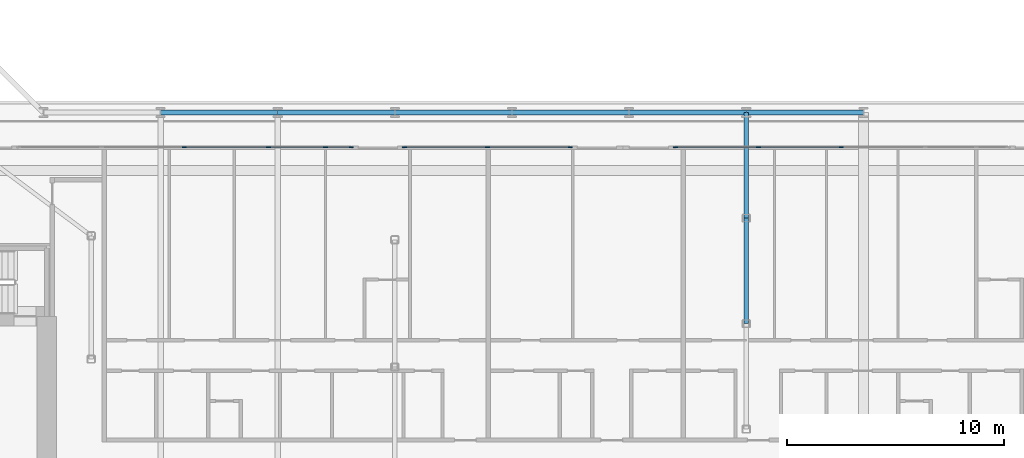
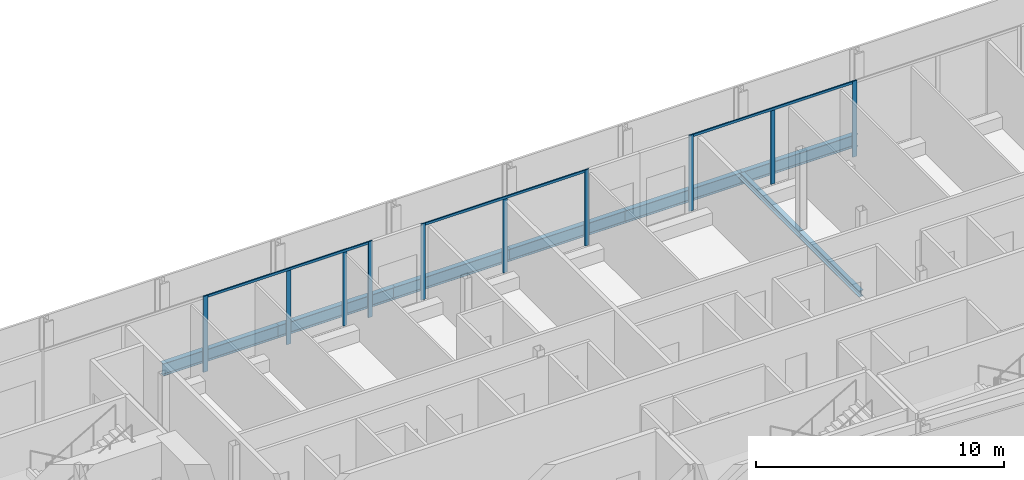
# One storey, part 6 of 28: 13 members, 8 beams, 4 elements without a shape of their own.
"""IFC4 building model written with IfcOpenShell, lengths in metres."""

from ifc_helpers import new_model, si_unit, direction, frame, origin, origin_2d, place, context, subcontext, project, spatial, rectangle, i_section, extrude, material, layer, layer_set, material_profile, profile_set, type_object, element, aggregate, save


model = new_model("IFC4")

# Units and contexts
model_context = context("Model", 3, precision=1e-05, world=origin(), true_north=direction((0.0, 1.0)))
body_context = subcontext(model_context, "Body", "Model", "MODEL_VIEW")
ifc_project = project(units=[si_unit("LENGTHUNIT", "METRE"), si_unit("AREAUNIT", "SQUARE_METRE"), si_unit("VOLUMEUNIT", "CUBIC_METRE"), si_unit("PLANEANGLEUNIT", "RADIAN"), si_unit("MASSUNIT", "GRAM", prefix="KILO")], contexts=[model_context])

# Site, building, storey
site_placement = place(None, origin())
site = spatial("IfcSite", under=ifc_project, at=site_placement, CompositionType="ELEMENT")
building_placement = place(site_placement, origin())
building = spatial("IfcBuilding", under=site, at=building_placement, Name="Kheshtan School and Residences Tower", CompositionType="ELEMENT")
storey_placement = place(building_placement, frame((0.0, 0.0, 137.0)))
storey = spatial("IfcBuildingStorey", under=building, at=storey_placement, Name="L32", CompositionType="ELEMENT", Elevation=137.0)

# Beams
ifc_material_1 = material(Name="Steel ASTM A992 Grade 50", Category="steel")
ifc_material_profile_1 = material_profile(ifc_material_1, i_section(OverallWidth=0.202880859375, OverallDepth=0.302978515625, WebThickness=0.007568359375, FlangeThickness=0.01318359375, FilletRadius=0.009033203125, at=origin_2d()), Name="W310x60")
ifc_profile_set_1 = profile_set([ifc_material_profile_1], Name="Steel ASTM A992 Grade 50")
beam_type_1 = type_object("IfcBeamType", Name="Beam FB1 W310x60 ASTM A992 Grade 50", PredefinedType="BEAM", material=ifc_profile_set_1)
for number, where, z_axis, x_axis, name in (
    (1, (85.39990234375, 45.60009765625, -0.301513671875), (0.0, -1.0, 0.0), (1.0, 0.0, 0.0), "Floor beam C067"),
    (2, (85.39990234375, 40.735107421875, -0.301513671875), (0.0, -1.0, 0.0), (1.0, 0.0, 0.0), "Floor beam IC"),
):
    element("IfcBeam", number, at=place(storey_placement, frame(where, z_axis=z_axis, x_axis=x_axis)), inside=storey, type_object=beam_type_1, Name=name, PredefinedType="BEAM", context=body_context, shape_type="SweptSolid", body=[
        extrude(i_section(OverallWidth=0.202880859375, OverallDepth=0.302978515625, WebThickness=0.007568359375, FlangeThickness=0.01318359375, FilletRadius=0.009033203125, at=origin_2d()), origin(), (0.0, 0.0, 1.0), 4.864990234375),
    ])
ifc_material_profile_2 = material_profile(ifc_material_1, i_section(OverallWidth=0.22802734375, OverallDepth=0.60302734375, WebThickness=0.010498046875, FlangeThickness=0.014892578125, FilletRadius=0.013427734375, at=origin_2d()), Name="W610x101")
ifc_profile_set_2 = profile_set([ifc_material_profile_2], Name="Steel ASTM A992 Grade 50")
beam_type_2 = type_object("IfcBeamType", Name="Beam SP2 W610x101 ASTM A992 Grade 50", PredefinedType="BEAM", material=ifc_profile_set_2)
beam_1_placement = place(storey_placement, frame((58.39990234375, 45.60009765625, -0.451416015625), z_axis=(1.0, 0.0, 0.0), x_axis=(0.0, 1.0, 0.0)))
element("IfcBeam", 3, at=beam_1_placement, inside=storey, type_object=beam_type_2, Name="Spandrel beam C062-C063", PredefinedType="BEAM", context=body_context, shape_type="SweptSolid", body=[
    extrude(i_section(OverallWidth=0.22802734375, OverallDepth=0.60302734375, WebThickness=0.010498046875, FlangeThickness=0.014892578125, FilletRadius=0.013427734375, at=origin_2d()), origin(), (0.0, 0.0, 1.0), 5.400146484375),
])
beam_2_placement = place(storey_placement, frame((63.800048828125, 45.60009765625, -0.451416015625), z_axis=(1.0, 0.0, 0.0), x_axis=(0.0, 1.0, 0.0)))
element("IfcBeam", 4, at=beam_2_placement, inside=storey, type_object=beam_type_2, Name="Spandrel beam C063-C064", PredefinedType="BEAM", context=body_context, shape_type="SweptSolid", body=[
    extrude(i_section(OverallWidth=0.22802734375, OverallDepth=0.60302734375, WebThickness=0.010498046875, FlangeThickness=0.014892578125, FilletRadius=0.013427734375, at=origin_2d()), origin(), (0.0, 0.0, 1.0), 5.39990234375),
])
beam_3_placement = place(storey_placement, frame((69.199951171875, 45.60009765625, -0.451416015625), z_axis=(1.0, 0.0, 0.0), x_axis=(0.0, 1.0, 0.0)))
element("IfcBeam", 5, at=beam_3_placement, inside=storey, type_object=beam_type_2, Name="Spandrel beam C064-C065", PredefinedType="BEAM", context=body_context, shape_type="SweptSolid", body=[
    extrude(i_section(OverallWidth=0.22802734375, OverallDepth=0.60302734375, WebThickness=0.010498046875, FlangeThickness=0.014892578125, FilletRadius=0.013427734375, at=origin_2d()), origin(), (0.0, 0.0, 1.0), 5.400146484375),
])
for number, where, z_axis, x_axis, name in (
    (6, (74.60009765625, 45.60009765625, -0.451416015625), (1.0, 0.0, 0.0), (0.0, 1.0, 0.0), "Spandrel beam C065-C066"),
    (7, (80.0, 45.60009765625, -0.451416015625), (1.0, 0.0, 0.0), (0.0, 1.0, 0.0), "Spandrel beam C066-C067"),
):
    element("IfcBeam", number, at=place(storey_placement, frame(where, z_axis=z_axis, x_axis=x_axis)), inside=storey, type_object=beam_type_2, Name=name, PredefinedType="BEAM", context=body_context, shape_type="SweptSolid", body=[
        extrude(i_section(OverallWidth=0.22802734375, OverallDepth=0.60302734375, WebThickness=0.010498046875, FlangeThickness=0.014892578125, FilletRadius=0.013427734375, at=origin_2d()), origin(), (0.0, 0.0, 1.0), 5.39990234375),
    ])
beam_4_placement = place(storey_placement, frame((85.39990234375, 45.60009765625, -0.451416015625), z_axis=(1.0, 0.0, 0.0), x_axis=(0.0, 1.0, 0.0)))
element("IfcBeam", 8, at=beam_4_placement, inside=storey, type_object=beam_type_2, Name="Spandrel beam C067-C068", PredefinedType="BEAM", context=body_context, shape_type="SweptSolid", body=[
    extrude(i_section(OverallWidth=0.22802734375, OverallDepth=0.60302734375, WebThickness=0.010498046875, FlangeThickness=0.014892578125, FilletRadius=0.013427734375, at=origin_2d()), origin(), (0.0, 0.0, 1.0), 5.400146484375),
])

# Curtain wall, member
ifc_material_2 = material(Name="Clear low-e glass in thermally broken aluminium frame", Category="aluminium")
ifc_layer = layer(ifc_material_2, 0.199951171875)
ifc_layer_set = layer_set([ifc_layer], Name="Curtain wall CW-L")
curtain_wall_type = type_object("IfcCurtainWallType", Name="Curtain wall CW-L", PredefinedType="NOTDEFINED", material=ifc_layer_set)
curtain_wall_1_placement = place(storey_placement, origin())
curtain_wall_1 = element("IfcCurtainWall", 9, at=curtain_wall_1_placement, inside=storey, type_object=curtain_wall_type, Name="Curtain wall CWL12j", PredefinedType="NOTDEFINED")
ifc_material_3 = material(Name="Thermally broken aluminium, dark bronze anodised", Category="aluminium")
ifc_material_profile_3 = material_profile(ifc_material_3, rectangle(XDim=0.06005859375, YDim=0.199951171875, at=origin_2d()), Name="CW-L mullion 60x200")
ifc_profile_set_3 = profile_set([ifc_material_profile_3], Name="Thermally broken aluminium, dark bronze anodised")
member_type_1 = type_object("IfcMemberType", Name="CW-L mullion 60x200", PredefinedType="MULLION", material=ifc_profile_set_3)
member_1_placement = place(storey_placement, frame((59.493896484375, 44.0, 0.0), z_axis=(0.0, 0.0, 1.0), x_axis=(0.0, 1.0, 0.0)))
member_1 = element("IfcMember", 10, at=member_1_placement, type_object=member_type_1, Name="CWL12j mullion 3", PredefinedType="MULLION", context=body_context, shape_type="SweptSolid", body=[
    extrude(rectangle(XDim=0.06005859375, YDim=0.199951171875, at=origin_2d()), origin(), (0.0, 0.0, 1.0), 3.75),
])
aggregate(curtain_wall_1, [member_1])

# Curtain wall, members
curtain_wall_2_placement = place(storey_placement, origin())
curtain_wall_2 = element("IfcCurtainWall", 11, at=curtain_wall_2_placement, inside=storey, type_object=curtain_wall_type, Name="Curtain wall CWL12k", PredefinedType="NOTDEFINED")
member_2_placement = place(storey_placement, frame((63.37109375, 44.0, 0.0), z_axis=(0.0, 0.0, 1.0), x_axis=(0.0, 1.0, 0.0)))
member_2 = element("IfcMember", 12, at=member_2_placement, type_object=member_type_1, Name="CWL12k mullion 2", PredefinedType="MULLION", context=body_context, shape_type="SweptSolid", body=[
    extrude(rectangle(XDim=0.06005859375, YDim=0.199951171875, at=origin_2d()), origin(), (0.0, 0.0, 1.0), 3.6298828125),
])
member_3_placement = place(storey_placement, frame((66.0, 44.0, 0.0), z_axis=(0.0, 0.0, 1.0), x_axis=(0.0, 1.0, 0.0)))
member_3 = element("IfcMember", 13, at=member_3_placement, type_object=member_type_1, Name="CWL12k mullion 3", PredefinedType="MULLION", context=body_context, shape_type="SweptSolid", body=[
    extrude(rectangle(XDim=0.06005859375, YDim=0.199951171875, at=origin_2d()), origin(), (0.0, 0.0, 1.0), 3.6298828125),
])
member_4_placement = place(storey_placement, frame((67.18798828125, 44.0, 0.0), z_axis=(0.0, 0.0, 1.0), x_axis=(0.0, 1.0, 0.0)))
member_4 = element("IfcMember", 14, at=member_4_placement, type_object=member_type_1, Name="CWL12k mullion 4", PredefinedType="MULLION", context=body_context, shape_type="SweptSolid", body=[
    extrude(rectangle(XDim=0.06005859375, YDim=0.199951171875, at=origin_2d()), origin(), (0.0, 0.0, 1.0), 3.75),
])

curtain_wall_3_placement = place(storey_placement, origin())
curtain_wall_3 = element("IfcCurtainWall", 15, at=curtain_wall_3_placement, inside=storey, type_object=curtain_wall_type, Name="Curtain wall CWL12j", PredefinedType="NOTDEFINED")
member_5_placement = place(storey_placement, frame((69.64794921875, 44.0, 0.0), z_axis=(0.0, 0.0, 1.0), x_axis=(0.0, 1.0, 0.0)))
member_5 = element("IfcMember", 16, at=member_5_placement, type_object=member_type_1, Name="CWL12j mullion 1", PredefinedType="MULLION", context=body_context, shape_type="SweptSolid", body=[
    extrude(rectangle(XDim=0.06005859375, YDim=0.199951171875, at=origin_2d()), origin(), (0.0, 0.0, 1.0), 3.75),
])
member_6_placement = place(storey_placement, frame((73.465087890625, 44.0, 0.0), z_axis=(0.0, 0.0, 1.0), x_axis=(0.0, 1.0, 0.0)))
member_6 = element("IfcMember", 17, at=member_6_placement, type_object=member_type_1, Name="CWL12j mullion 2", PredefinedType="MULLION", context=body_context, shape_type="SweptSolid", body=[
    extrude(rectangle(XDim=0.06005859375, YDim=0.199951171875, at=origin_2d()), origin(), (0.0, 0.0, 1.0), 3.6298828125),
])
member_7_placement = place(storey_placement, frame((77.281982421875, 44.0, 0.0), z_axis=(0.0, 0.0, 1.0), x_axis=(0.0, 1.0, 0.0)))
member_7 = element("IfcMember", 18, at=member_7_placement, type_object=member_type_1, Name="CWL12j mullion 3", PredefinedType="MULLION", context=body_context, shape_type="SweptSolid", body=[
    extrude(rectangle(XDim=0.06005859375, YDim=0.199951171875, at=origin_2d()), origin(), (0.0, 0.0, 1.0), 3.75),
])

curtain_wall_4_placement = place(storey_placement, origin())
curtain_wall_4 = element("IfcCurtainWall", 19, at=curtain_wall_4_placement, inside=storey, type_object=curtain_wall_type, Name="Curtain wall CWL12j", PredefinedType="NOTDEFINED")
member_8_placement = place(storey_placement, frame((82.14208984375, 44.0, 0.0), z_axis=(0.0, 0.0, 1.0), x_axis=(0.0, 1.0, 0.0)))
member_8 = element("IfcMember", 20, at=member_8_placement, type_object=member_type_1, Name="CWL12j mullion 1", PredefinedType="MULLION", context=body_context, shape_type="SweptSolid", body=[
    extrude(rectangle(XDim=0.06005859375, YDim=0.199951171875, at=origin_2d()), origin(), (0.0, 0.0, 1.0), 3.75),
])
member_9_placement = place(storey_placement, frame((85.958984375, 44.0, 0.0), z_axis=(0.0, 0.0, 1.0), x_axis=(0.0, 1.0, 0.0)))
member_9 = element("IfcMember", 21, at=member_9_placement, type_object=member_type_1, Name="CWL12j mullion 2", PredefinedType="MULLION", context=body_context, shape_type="SweptSolid", body=[
    extrude(rectangle(XDim=0.06005859375, YDim=0.199951171875, at=origin_2d()), origin(), (0.0, 0.0, 1.0), 3.6298828125),
])
member_10_placement = place(storey_placement, frame((89.77587890625, 44.0, 0.0), z_axis=(0.0, 0.0, 1.0), x_axis=(0.0, 1.0, 0.0)))
member_10 = element("IfcMember", 22, at=member_10_placement, type_object=member_type_1, Name="CWL12j mullion 3", PredefinedType="MULLION", context=body_context, shape_type="SweptSolid", body=[
    extrude(rectangle(XDim=0.06005859375, YDim=0.199951171875, at=origin_2d()), origin(), (0.0, 0.0, 1.0), 3.75),
])

# Member
ifc_material_profile_4 = material_profile(ifc_material_3, rectangle(XDim=0.06005859375, YDim=0.1201171875, at=origin_2d()), Name="CW-L transom 60x120")
ifc_profile_set_4 = profile_set([ifc_material_profile_4], Name="Thermally broken aluminium, dark bronze anodised")
member_type_2 = type_object("IfcMemberType", Name="CW-L transom 60x120", PredefinedType="USERDEFINED", material=ifc_profile_set_4)
member_11_placement = place(storey_placement, frame((59.52392578125, 44.0, 3.68994140625), z_axis=(1.0, 0.0, 0.0), x_axis=(0.0, 1.0, 0.0)))
member_11 = element("IfcMember", 23, at=member_11_placement, type_object=member_type_2, Name="CWL12k transom 1", ObjectType="TRANSOM", PredefinedType="USERDEFINED", context=body_context, shape_type="SweptSolid", body=[
    extrude(rectangle(XDim=0.06005859375, YDim=0.1201171875, at=origin_2d()), origin(), (0.0, 0.0, 1.0), 7.634033203125),
])

aggregate(curtain_wall_2, [member_2, member_3, member_4, member_11])

member_12_placement = place(storey_placement, frame((69.677978515625, 44.0, 3.68994140625), z_axis=(1.0, 0.0, 0.0), x_axis=(0.0, 1.0, 0.0)))
member_12 = element("IfcMember", 24, at=member_12_placement, type_object=member_type_2, Name="CWL12j transom 1", ObjectType="TRANSOM", PredefinedType="USERDEFINED", context=body_context, shape_type="SweptSolid", body=[
    extrude(rectangle(XDim=0.06005859375, YDim=0.1201171875, at=origin_2d()), origin(), (0.0, 0.0, 1.0), 7.573974609375),
])

aggregate(curtain_wall_3, [member_5, member_6, member_7, member_12])

member_13_placement = place(storey_placement, frame((82.172119140625, 44.0, 3.68994140625), z_axis=(1.0, 0.0, 0.0), x_axis=(0.0, 1.0, 0.0)))
member_13 = element("IfcMember", 25, at=member_13_placement, type_object=member_type_2, Name="CWL12j transom 1", ObjectType="TRANSOM", PredefinedType="USERDEFINED", context=body_context, shape_type="SweptSolid", body=[
    extrude(rectangle(XDim=0.06005859375, YDim=0.1201171875, at=origin_2d()), origin(), (0.0, 0.0, 1.0), 7.573974609375),
])

aggregate(curtain_wall_4, [member_8, member_9, member_10, member_13])

save(model, "model.ifc")
